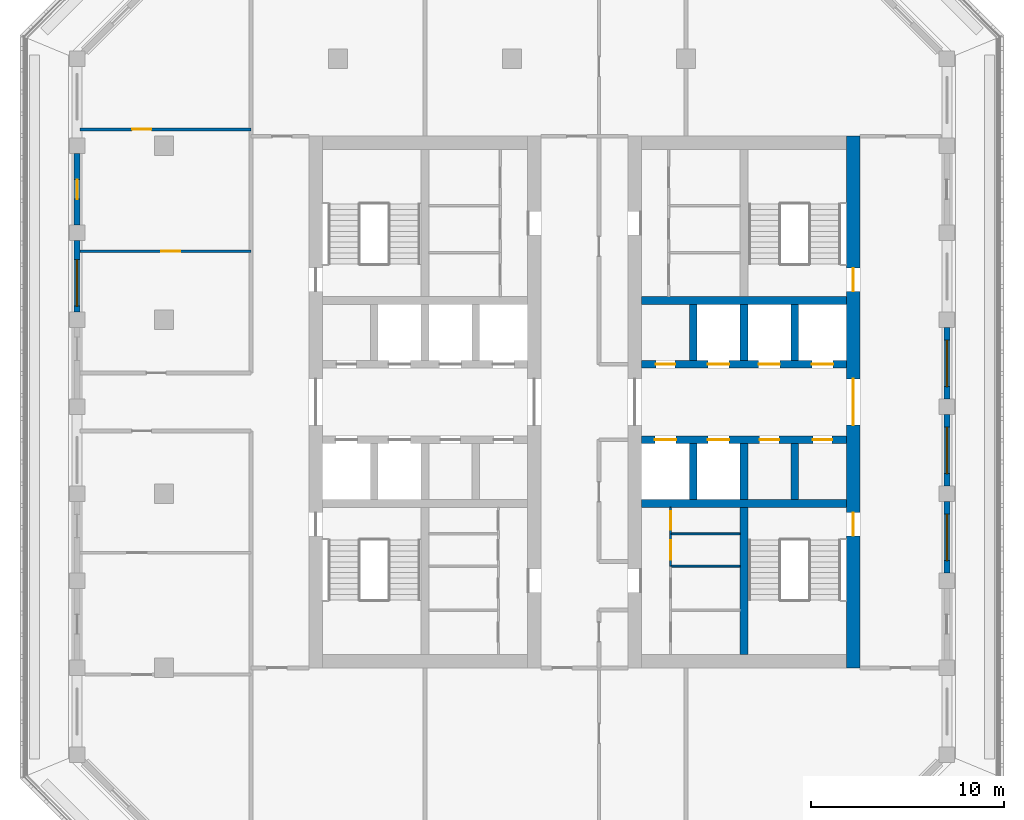
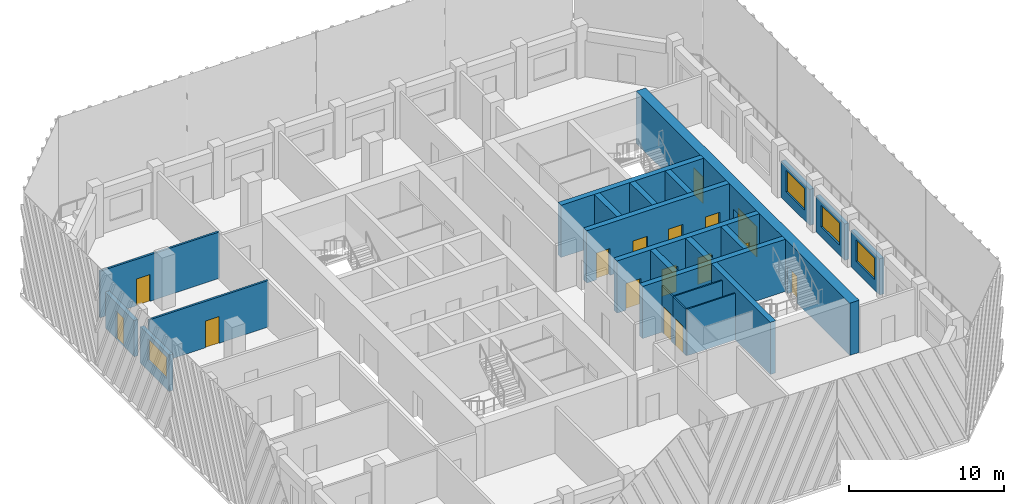
# One storey, part 5 of 15: 23 walls, 16 doors, 4 windows, 20 openings.
"""IFC4 building model written with IfcOpenShell, lengths in metres."""

from ifc_helpers import new_model, si_unit, direction, frame, frame_2d, origin, place, context, subcontext, project, spatial, rectangle, extrude, material, layer, layer_set, type_object, element, fill, save


model = new_model("IFC4")

# Units and contexts
model_context = context("Model", 3, precision=1e-05, world=origin(), true_north=direction((0.0, 1.0)))
body_context = subcontext(model_context, "Body", "Model", "MODEL_VIEW")
ifc_project = project(units=[si_unit("LENGTHUNIT", "METRE"), si_unit("AREAUNIT", "SQUARE_METRE"), si_unit("VOLUMEUNIT", "CUBIC_METRE"), si_unit("PLANEANGLEUNIT", "RADIAN"), si_unit("MASSUNIT", "GRAM", prefix="KILO")], contexts=[model_context])

# Site, building, storey
site_placement = place(None, origin())
site = spatial("IfcSite", under=ifc_project, at=site_placement, CompositionType="ELEMENT")
building_placement = place(site_placement, origin())
building = spatial("IfcBuilding", under=site, at=building_placement, Name="Corbel Stack Research Tower", CompositionType="ELEMENT")
storey_placement = place(building_placement, frame((0.0, 0.0, 282.699951171875)))
storey = spatial("IfcBuildingStorey", under=building, at=storey_placement, Name="L64", CompositionType="ELEMENT", Elevation=282.699951171875)

# Wall
ifc_material_1 = material(Name="Concrete C60/75", Category="concrete")
ifc_layer_1 = layer(ifc_material_1, 0.39990234375)
ifc_layer_set_1 = layer_set([ifc_layer_1], Name="Concrete C60/75")
wall_type_1 = type_object("IfcWallType", Name="CW-400-60", PredefinedType="SHEAR", material=ifc_layer_set_1)
wall_1_placement = place(storey_placement, frame((6.699951171875, -0.5, 0.0), z_axis=(0.0, 0.0, 1.0), x_axis=(1.0, 0.0, 0.0)))
element("IfcWall", 1, at=wall_1_placement, inside=storey, type_object=wall_type_1, Name="East core wall, south row back L64", PredefinedType="SHEAR", context=body_context, shape_type="SweptSolid", body=[
    extrude(rectangle(XDim=10.60009765625, YDim=0.39990234375, at=frame_2d((5.300048828125, 0.0))), origin(), (0.0, 0.0, 1.0), 4.10009765625),
])

# Wall, openings, doors
wall_2_placement = place(storey_placement, frame((6.699951171875, 2.800048828125, 0.0), z_axis=(0.0, 0.0, 1.0), x_axis=(1.0, 0.0, 0.0)))
wall_2 = element("IfcWall", 2, at=wall_2_placement, inside=storey, type_object=wall_type_1, Name="East core wall, lobby south L64", PredefinedType="SHEAR", context=body_context, shape_type="SweptSolid", body=[
    extrude(rectangle(XDim=10.60009765625, YDim=0.39990234375, at=frame_2d((5.300048828125, 0.0))), origin(), (0.0, 0.0, 1.0), 4.10009765625),
])
opening_1_placement = place(wall_2_placement, frame((0.6875, 0.0, 0.0)))
opening_1 = element("IfcOpeningElement", 3, at=opening_1_placement, cuts=wall_2, Name="Opening LD-FS2", PredefinedType="OPENING", context=body_context, shape_type="SweptSolid", body=[
    extrude(rectangle(XDim=1.10009765625, YDim=2.10009765625, at=frame_2d((0.550048828125, 1.050048828125))), frame((0.0, 0.2099609375, 0.0), z_axis=(0.0, -1.0, 0.0), x_axis=(1.0, 0.0, 0.0)), (0.0, 0.0, 1.0), 0.419921875),
])
opening_2_placement = place(wall_2_placement, frame((3.4375, 0.0, 0.0)))
opening_2 = element("IfcOpeningElement", 4, at=opening_2_placement, cuts=wall_2, Name="Opening LD-GL2", PredefinedType="OPENING", context=body_context, shape_type="SweptSolid", body=[
    extrude(rectangle(XDim=1.10009765625, YDim=2.10009765625, at=frame_2d((0.550048828125, 1.050048828125))), frame((0.0, 0.2099609375, 0.0), z_axis=(0.0, -1.0, 0.0), x_axis=(1.0, 0.0, 0.0)), (0.0, 0.0, 1.0), 0.419921875),
])
opening_3_placement = place(wall_2_placement, frame((6.112548828125, 0.0, 0.0)))
opening_3 = element("IfcOpeningElement", 5, at=opening_3_placement, cuts=wall_2, Name="Opening CR-E42-S3", PredefinedType="OPENING", context=body_context, shape_type="SweptSolid", body=[
    extrude(rectangle(XDim=1.0, YDim=2.10009765625, at=frame_2d((0.5, 1.050048828125))), frame((0.0, 0.2099609375, 0.0), z_axis=(0.0, -1.0, 0.0), x_axis=(1.0, 0.0, 0.0)), (0.0, 0.0, 1.0), 0.419921875),
])
opening_4_placement = place(wall_2_placement, frame((8.862548828125, 0.0, 0.0)))
opening_4 = element("IfcOpeningElement", 6, at=opening_4_placement, cuts=wall_2, Name="Opening CR-E42-S4", PredefinedType="OPENING", context=body_context, shape_type="SweptSolid", body=[
    extrude(rectangle(XDim=1.0, YDim=2.10009765625, at=frame_2d((0.5, 1.050048828125))), frame((0.0, 0.2099609375, 0.0), z_axis=(0.0, -1.0, 0.0), x_axis=(1.0, 0.0, 0.0)), (0.0, 0.0, 1.0), 0.419921875),
])
ifc_material_2 = material(Name="Stainless steel landing door", Category="steel")
door_type_1 = type_object("IfcDoorType", Name="Lift landing door 1100 x 2100", OperationType="DOUBLE_DOOR_SLIDING", PredefinedType="DOOR", material=ifc_material_2)
door_1_placement = place(opening_1_placement, origin())
door_1 = element("IfcDoor", 7, at=door_1_placement, inside=storey, type_object=door_type_1, Name="Landing door FS2", OperationType="DOUBLE_DOOR_SLIDING", OverallHeight=2.10009765625, OverallWidth=1.10009765625, PredefinedType="DOOR", context=body_context, shape_type="SweptSolid", body=[
    extrude(rectangle(XDim=1.10009765625, YDim=2.10009765625, at=frame_2d((0.550048828125, 1.050048828125))), frame((0.0, 0.02490234375, 0.0), z_axis=(0.0, -1.0, 0.0), x_axis=(1.0, 0.0, 0.0)), (0.0, 0.0, 1.0), 0.050048828125),
])
fill(opening_1, door_1)
door_2_placement = place(opening_2_placement, origin())
door_2 = element("IfcDoor", 8, at=door_2_placement, inside=storey, type_object=door_type_1, Name="Landing door GL2", OperationType="DOUBLE_DOOR_SLIDING", OverallHeight=2.10009765625, OverallWidth=1.10009765625, PredefinedType="DOOR", context=body_context, shape_type="SweptSolid", body=[
    extrude(rectangle(XDim=1.10009765625, YDim=2.10009765625, at=frame_2d((0.550048828125, 1.050048828125))), frame((0.0, 0.02490234375, 0.0), z_axis=(0.0, -1.0, 0.0), x_axis=(1.0, 0.0, 0.0)), (0.0, 0.0, 1.0), 0.050048828125),
])
fill(opening_2, door_2)
ifc_material_3 = material(Name="Painted steel door", Category="steel")
door_type_2 = type_object("IfcDoorType", Name="Service door 1000 x 2100 FD60 left hand", OperationType="SINGLE_SWING_LEFT", PredefinedType="DOOR", material=ifc_material_3)
door_3_placement = place(opening_3_placement, origin())
door_3 = element("IfcDoor", 9, at=door_3_placement, inside=storey, type_object=door_type_2, Name="Laboratory consumables store door E core", OperationType="SINGLE_SWING_LEFT", OverallHeight=2.10009765625, OverallWidth=1.0, PredefinedType="DOOR", context=body_context, shape_type="SweptSolid", body=[
    extrude(rectangle(XDim=1.0, YDim=2.10009765625, at=frame_2d((0.5, 1.050048828125))), frame((0.0, 0.02490234375, 0.0), z_axis=(0.0, -1.0, 0.0), x_axis=(1.0, 0.0, 0.0)), (0.0, 0.0, 1.0), 0.050048828125),
])
fill(opening_3, door_3)
ifc_material_4 = material(Name="Painted steel door", Category="steel")
door_type_3 = type_object("IfcDoorType", Name="Service door 1000 x 2100 FD60 right hand", OperationType="SINGLE_SWING_RIGHT", PredefinedType="DOOR", material=ifc_material_4)
door_4_placement = place(opening_4_placement, origin())
door_4 = element("IfcDoor", 10, at=door_4_placement, inside=storey, type_object=door_type_3, Name="Cleaner's store door E core", OperationType="SINGLE_SWING_RIGHT", OverallHeight=2.10009765625, OverallWidth=1.0, PredefinedType="DOOR", context=body_context, shape_type="SweptSolid", body=[
    extrude(rectangle(XDim=1.0, YDim=2.10009765625, at=frame_2d((0.5, 1.050048828125))), frame((0.0, 0.02490234375, 0.0), z_axis=(0.0, -1.0, 0.0), x_axis=(1.0, 0.0, 0.0)), (0.0, 0.0, 1.0), 0.050048828125),
])
fill(opening_4, door_4)

wall_3_placement = place(storey_placement, frame((6.699951171875, 6.699951171875, 0.0), z_axis=(0.0, 0.0, 1.0), x_axis=(1.0, 0.0, 0.0)))
wall_3 = element("IfcWall", 11, at=wall_3_placement, inside=storey, type_object=wall_type_1, Name="East core wall, lobby north L64", PredefinedType="SHEAR", context=body_context, shape_type="SweptSolid", body=[
    extrude(rectangle(XDim=10.60009765625, YDim=0.39990234375, at=frame_2d((5.300048828125, 0.0))), origin(), (0.0, 0.0, 1.0), 4.10009765625),
])
opening_5_placement = place(wall_3_placement, frame((3.4375, 0.0, 0.0)))
opening_5 = element("IfcOpeningElement", 12, at=opening_5_placement, cuts=wall_3, Name="Opening LD-HR4", PredefinedType="OPENING", context=body_context, shape_type="SweptSolid", body=[
    extrude(rectangle(XDim=1.10009765625, YDim=2.10009765625, at=frame_2d((0.550048828125, 1.050048828125))), frame((0.0, 0.2099609375, 0.0), z_axis=(0.0, -1.0, 0.0), x_axis=(1.0, 0.0, 0.0)), (0.0, 0.0, 1.0), 0.419921875),
])
opening_6_placement = place(wall_3_placement, frame((6.0625, 0.0, 0.0)))
opening_6 = element("IfcOpeningElement", 13, at=opening_6_placement, cuts=wall_3, Name="Opening LD-HR5", PredefinedType="OPENING", context=body_context, shape_type="SweptSolid", body=[
    extrude(rectangle(XDim=1.10009765625, YDim=2.10009765625, at=frame_2d((0.550048828125, 1.050048828125))), frame((0.0, 0.2099609375, 0.0), z_axis=(0.0, -1.0, 0.0), x_axis=(1.0, 0.0, 0.0)), (0.0, 0.0, 1.0), 0.419921875),
])
opening_7_placement = place(wall_3_placement, frame((8.8125, 0.0, 0.0)))
opening_7 = element("IfcOpeningElement", 14, at=opening_7_placement, cuts=wall_3, Name="Opening LD-HR6", PredefinedType="OPENING", context=body_context, shape_type="SweptSolid", body=[
    extrude(rectangle(XDim=1.10009765625, YDim=2.10009765625, at=frame_2d((0.550048828125, 1.050048828125))), frame((0.0, 0.2099609375, 0.0), z_axis=(0.0, -1.0, 0.0), x_axis=(1.0, 0.0, 0.0)), (0.0, 0.0, 1.0), 0.419921875),
])
opening_8_placement = place(wall_3_placement, frame((0.737548828125, 0.0, 0.0)))
opening_8 = element("IfcOpeningElement", 15, at=opening_8_placement, cuts=wall_3, Name="Opening CR-E42-N1", PredefinedType="OPENING", context=body_context, shape_type="SweptSolid", body=[
    extrude(rectangle(XDim=1.0, YDim=2.10009765625, at=frame_2d((0.5, 1.050048828125))), frame((0.0, 0.2099609375, 0.0), z_axis=(0.0, -1.0, 0.0), x_axis=(1.0, 0.0, 0.0)), (0.0, 0.0, 1.0), 0.419921875),
])
door_5_placement = place(opening_5_placement, origin())
door_5 = element("IfcDoor", 16, at=door_5_placement, inside=storey, type_object=door_type_1, Name="Landing door HR4", OperationType="DOUBLE_DOOR_SLIDING", OverallHeight=2.10009765625, OverallWidth=1.10009765625, PredefinedType="DOOR", context=body_context, shape_type="SweptSolid", body=[
    extrude(rectangle(XDim=1.10009765625, YDim=2.10009765625, at=frame_2d((0.550048828125, 1.050048828125))), frame((0.0, 0.02490234375, 0.0), z_axis=(0.0, -1.0, 0.0), x_axis=(1.0, 0.0, 0.0)), (0.0, 0.0, 1.0), 0.050048828125),
])
fill(opening_5, door_5)
door_6_placement = place(opening_6_placement, origin())
door_6 = element("IfcDoor", 17, at=door_6_placement, inside=storey, type_object=door_type_1, Name="Landing door HR5", OperationType="DOUBLE_DOOR_SLIDING", OverallHeight=2.10009765625, OverallWidth=1.10009765625, PredefinedType="DOOR", context=body_context, shape_type="SweptSolid", body=[
    extrude(rectangle(XDim=1.10009765625, YDim=2.10009765625, at=frame_2d((0.550048828125, 1.050048828125))), frame((0.0, 0.02490234375, 0.0), z_axis=(0.0, -1.0, 0.0), x_axis=(1.0, 0.0, 0.0)), (0.0, 0.0, 1.0), 0.050048828125),
])
fill(opening_6, door_6)
door_7_placement = place(opening_7_placement, origin())
door_7 = element("IfcDoor", 18, at=door_7_placement, inside=storey, type_object=door_type_1, Name="Landing door HR6", OperationType="DOUBLE_DOOR_SLIDING", OverallHeight=2.10009765625, OverallWidth=1.10009765625, PredefinedType="DOOR", context=body_context, shape_type="SweptSolid", body=[
    extrude(rectangle(XDim=1.10009765625, YDim=2.10009765625, at=frame_2d((0.550048828125, 1.050048828125))), frame((0.0, 0.02490234375, 0.0), z_axis=(0.0, -1.0, 0.0), x_axis=(1.0, 0.0, 0.0)), (0.0, 0.0, 1.0), 0.050048828125),
])
fill(opening_7, door_7)
door_8_placement = place(opening_8_placement, origin())
door_8 = element("IfcDoor", 19, at=door_8_placement, inside=storey, type_object=door_type_2, Name="Vending bay door E core", OperationType="SINGLE_SWING_LEFT", OverallHeight=2.10009765625, OverallWidth=1.0, PredefinedType="DOOR", context=body_context, shape_type="SweptSolid", body=[
    extrude(rectangle(XDim=1.0, YDim=2.10009765625, at=frame_2d((0.5, 1.050048828125))), frame((0.0, 0.02490234375, 0.0), z_axis=(0.0, -1.0, 0.0), x_axis=(1.0, 0.0, 0.0)), (0.0, 0.0, 1.0), 0.050048828125),
])
fill(opening_8, door_8)

# Walls
wall_4_placement = place(storey_placement, frame((6.699951171875, 10.0, 0.0), z_axis=(0.0, 0.0, 1.0), x_axis=(1.0, 0.0, 0.0)))
element("IfcWall", 20, at=wall_4_placement, inside=storey, type_object=wall_type_1, Name="East core wall, north row back L64", PredefinedType="SHEAR", context=body_context, shape_type="SweptSolid", body=[
    extrude(rectangle(XDim=10.60009765625, YDim=0.39990234375, at=frame_2d((5.300048828125, 0.0))), origin(), (0.0, 0.0, 1.0), 4.10009765625),
])
for number, where, z_axis, x_axis, name in (
    (21, (9.375, -0.300048828125, 0.0), (0.0, 0.0, 1.0), (0.0, 1.0, 0.0), "East core wall, south shaft 1 L64"),
    (22, (9.375, 6.89990234375, 0.0), (0.0, 0.0, 1.0), (0.0, 1.0, 0.0), "East core wall, north shaft 1 L64"),
    (23, (12.0, -0.300048828125, 0.0), (0.0, 0.0, 1.0), (0.0, 1.0, 0.0), "East core wall, south shaft 2 L64"),
    (24, (12.0, 6.89990234375, 0.0), (0.0, 0.0, 1.0), (0.0, 1.0, 0.0), "East core wall, north shaft 2 L64"),
    (25, (14.625, -0.300048828125, 0.0), (0.0, 0.0, 1.0), (0.0, 1.0, 0.0), "East core wall, south shaft 3 L64"),
    (26, (14.625, 6.89990234375, 0.0), (0.0, 0.0, 1.0), (0.0, 1.0, 0.0), "East core wall, north shaft 3 L64"),
):
    element("IfcWall", number, at=place(storey_placement, frame(where, z_axis=z_axis, x_axis=x_axis)), inside=storey, type_object=wall_type_1, Name=name, PredefinedType="SHEAR", context=body_context, shape_type="SweptSolid", body=[
        extrude(rectangle(XDim=2.900146484375, YDim=0.39990234375, at=frame_2d((1.4501953125, 0.0))), origin(), (0.0, 0.0, 1.0), 4.10009765625),
    ])
wall_5_placement = place(storey_placement, frame((12.0, -8.300048828125, 0.0), z_axis=(0.0, 0.0, 1.0), x_axis=(0.0, 1.0, 0.0)))
element("IfcWall", 27, at=wall_5_placement, inside=storey, type_object=wall_type_1, Name="East core wall, south stair and WC L64", PredefinedType="SHEAR", context=body_context, shape_type="SweptSolid", body=[
    extrude(rectangle(XDim=7.60009765625, YDim=0.39990234375, at=frame_2d((3.800048828125, 0.0))), origin(), (0.0, 0.0, 1.0), 4.10009765625),
])

# Wall, openings, doors
ifc_material_5 = material(Name="Concrete C60/75", Category="concrete")
ifc_layer_2 = layer(ifc_material_5, 0.699951171875)
ifc_layer_set_2 = layer_set([ifc_layer_2], Name="Concrete C60/75")
wall_type_2 = type_object("IfcWallType", Name="CW-700-60", PredefinedType="SHEAR", material=ifc_layer_set_2)
wall_6_placement = place(storey_placement, frame((17.64990234375, -9.0, 0.0), z_axis=(0.0, 0.0, 1.0), x_axis=(0.0, 1.0, 0.0)))
wall_6 = element("IfcWall", 28, at=wall_6_placement, inside=storey, type_object=wall_type_2, Name="East core wall, east face L64", PredefinedType="SHEAR", context=body_context, shape_type="SweptSolid", body=[
    extrude(rectangle(XDim=27.5, YDim=0.699951171875, at=frame_2d((13.75, 0.0))), origin(), (0.0, 0.0, 1.0), 4.10009765625),
])
opening_9_placement = place(wall_6_placement, frame((12.550048828125, 0.0, 0.0)))
opening_9 = element("IfcOpeningElement", 29, at=opening_9_placement, cuts=wall_6, Name="Opening CD-E-E", PredefinedType="OPENING", context=body_context, shape_type="SweptSolid", body=[
    extrude(rectangle(XDim=2.39990234375, YDim=2.39990234375, at=frame_2d((1.199951171875, 1.199951171875))), frame((0.0, 0.35986328125, 0.0), z_axis=(0.0, -1.0, 0.0), x_axis=(1.0, 0.0, 0.0)), (0.0, 0.0, 1.0), 0.719970703125),
])
opening_10_placement = place(wall_6_placement, frame((6.824951171875, 0.0, 0.0)))
opening_10 = element("IfcOpeningElement", 30, at=opening_10_placement, cuts=wall_6, Name="Opening SD-ST-E1", PredefinedType="OPENING", context=body_context, shape_type="SweptSolid", body=[
    extrude(rectangle(XDim=1.199951171875, YDim=2.10009765625, at=frame_2d((0.60009765625, 1.050048828125))), frame((0.0, 0.35986328125, 0.0), z_axis=(0.0, -1.0, 0.0), x_axis=(1.0, 0.0, 0.0)), (0.0, 0.0, 1.0), 0.719970703125),
])
opening_11_placement = place(wall_6_placement, frame((19.47509765625, 0.0, 0.0)))
opening_11 = element("IfcOpeningElement", 31, at=opening_11_placement, cuts=wall_6, Name="Opening SD-ST-E2", PredefinedType="OPENING", context=body_context, shape_type="SweptSolid", body=[
    extrude(rectangle(XDim=1.199951171875, YDim=2.10009765625, at=frame_2d((0.60009765625, 1.050048828125))), frame((0.0, 0.35986328125, 0.0), z_axis=(0.0, -1.0, 0.0), x_axis=(1.0, 0.0, 0.0)), (0.0, 0.0, 1.0), 0.719970703125),
])
ifc_material_6 = material(Name="Painted steel fire door", Category="steel")
door_type_4 = type_object("IfcDoorType", Name="Lobby door pair 2400 x 2400 FD30S", OperationType="DOUBLE_DOOR_DOUBLE_SWING", PredefinedType="DOOR", material=ifc_material_6)
door_9_placement = place(opening_9_placement, origin())
door_9 = element("IfcDoor", 32, at=door_9_placement, inside=storey, type_object=door_type_4, Name="Lift lobby door E core E", OperationType="DOUBLE_DOOR_DOUBLE_SWING", OverallHeight=2.39990234375, OverallWidth=2.39990234375, PredefinedType="DOOR", context=body_context, shape_type="SweptSolid", body=[
    extrude(rectangle(XDim=2.39990234375, YDim=2.39990234375, at=frame_2d((1.199951171875, 1.199951171875))), frame((0.0, 0.02490234375, 0.0), z_axis=(0.0, -1.0, 0.0), x_axis=(1.0, 0.0, 0.0)), (0.0, 0.0, 1.0), 0.050048828125),
])
fill(opening_9, door_9)
ifc_material_7 = material(Name="Painted steel fire door", Category="steel")
door_type_5 = type_object("IfcDoorType", Name="Stair door 1200 x 2100 FD90 right hand", OperationType="SINGLE_SWING_RIGHT", PredefinedType="DOOR", material=ifc_material_7)
door_10_placement = place(opening_10_placement, frame((1.199951171875, 0.0, 0.0), z_axis=(0.0, 0.0, 1.0), x_axis=(-1.0, 0.0, 0.0)))
door_10 = element("IfcDoor", 33, at=door_10_placement, inside=storey, type_object=door_type_5, Name="Stair door ST-E1", OperationType="SINGLE_SWING_LEFT", OverallHeight=2.10009765625, OverallWidth=1.199951171875, PredefinedType="DOOR", context=body_context, shape_type="SweptSolid", body=[
    extrude(rectangle(XDim=1.199951171875, YDim=2.10009765625, at=frame_2d((0.60009765625, 1.050048828125))), frame((0.0, 0.02490234375, 0.0), z_axis=(0.0, -1.0, 0.0), x_axis=(1.0, 0.0, 0.0)), (0.0, 0.0, 1.0), 0.050048828125),
])
fill(opening_10, door_10)
door_11_placement = place(opening_11_placement, frame((1.199951171875, 0.0, 0.0), z_axis=(0.0, 0.0, 1.0), x_axis=(-1.0, 0.0, 0.0)))
door_11 = element("IfcDoor", 34, at=door_11_placement, inside=storey, type_object=door_type_5, Name="Stair door ST-E2", OperationType="SINGLE_SWING_LEFT", OverallHeight=2.10009765625, OverallWidth=1.199951171875, PredefinedType="DOOR", context=body_context, shape_type="SweptSolid", body=[
    extrude(rectangle(XDim=1.199951171875, YDim=2.10009765625, at=frame_2d((0.60009765625, 1.050048828125))), frame((0.0, 0.02490234375, 0.0), z_axis=(0.0, -1.0, 0.0), x_axis=(1.0, 0.0, 0.0)), (0.0, 0.0, 1.0), 0.050048828125),
])
fill(opening_11, door_11)

# Wall, opening, door
ifc_material_8 = material(Name="Gypsum board")
ifc_layer_3 = layer(ifc_material_8, 0.10009765625)
ifc_layer_set_3 = layer_set([ifc_layer_3], Name="Gypsum board")
wall_type_3 = type_object("IfcWallType", Name="Core partition 100", PredefinedType="PARTITIONING", material=ifc_layer_set_3)
wall_7_placement = place(storey_placement, frame((8.199951171875, -3.739990234375, 0.0), z_axis=(0.0, 0.0, 1.0), x_axis=(0.0, 1.0, 0.0)))
wall_7 = element("IfcWall", 35, at=wall_7_placement, inside=storey, type_object=wall_type_3, Name="Core partition E", PredefinedType="PARTITIONING", context=body_context, shape_type="SweptSolid", body=[
    extrude(rectangle(XDim=1.671875, YDim=0.10009765625, at=frame_2d((0.8359375, 0.0))), origin(), (0.0, 0.0, 1.0), 3.650146484375),
])
opening_12_placement = place(wall_7_placement, frame((0.3359375, 0.0, 0.0)))
opening_12 = element("IfcOpeningElement", 36, at=opening_12_placement, cuts=wall_7, Name="Opening CR-E42-W4-1000", PredefinedType="OPENING", context=body_context, shape_type="SweptSolid", body=[
    extrude(rectangle(XDim=1.0, YDim=2.10009765625, at=frame_2d((0.5, 1.050048828125))), frame((0.0, 0.06005859375, 0.0), z_axis=(0.0, -1.0, 0.0), x_axis=(1.0, 0.0, 0.0)), (0.0, 0.0, 1.0), 0.1201171875),
])
ifc_material_9 = material(Name="Painted timber door", Category="wood")
door_type_6 = type_object("IfcDoorType", Name="WC door 1000 x 2100 left hand", OperationType="SINGLE_SWING_LEFT", PredefinedType="DOOR", material=ifc_material_9)
door_12_placement = place(opening_12_placement, origin())
door_12 = element("IfcDoor", 37, at=door_12_placement, inside=storey, type_object=door_type_6, Name="Accessible WC door E core", OperationType="SINGLE_SWING_LEFT", OverallHeight=2.10009765625, OverallWidth=1.0, PredefinedType="DOOR", context=body_context, shape_type="SweptSolid", body=[
    extrude(rectangle(XDim=1.0, YDim=2.10009765625, at=frame_2d((0.5, 1.050048828125))), frame((0.0, 0.02490234375, 0.0), z_axis=(0.0, -1.0, 0.0), x_axis=(1.0, 0.0, 0.0)), (0.0, 0.0, 1.0), 0.050048828125),
])
fill(opening_12, door_12)

wall_8_placement = place(storey_placement, frame((8.199951171875, -2.068115234375, 0.0), z_axis=(0.0, 0.0, 1.0), x_axis=(0.0, 1.0, 0.0)))
wall_8 = element("IfcWall", 38, at=wall_8_placement, inside=storey, type_object=wall_type_3, Name="Core partition E", PredefinedType="PARTITIONING", context=body_context, shape_type="SweptSolid", body=[
    extrude(rectangle(XDim=1.3681640625, YDim=0.10009765625, at=frame_2d((0.68408203125, 0.0))), origin(), (0.0, 0.0, 1.0), 3.650146484375),
])
opening_13_placement = place(wall_8_placement, frame((0.199951171875, 0.0, 0.0)))
opening_13 = element("IfcOpeningElement", 39, at=opening_13_placement, cuts=wall_8, Name="Opening CR-E42-W5-968", PredefinedType="OPENING", context=body_context, shape_type="SweptSolid", body=[
    extrude(rectangle(XDim=0.968017578125, YDim=2.10009765625, at=frame_2d((0.48388671875, 1.050048828125))), frame((0.0, 0.06005859375, 0.0), z_axis=(0.0, -1.0, 0.0), x_axis=(1.0, 0.0, 0.0)), (0.0, 0.0, 1.0), 0.1201171875),
])
ifc_material_10 = material(Name="Painted steel door", Category="steel")
door_type_7 = type_object("IfcDoorType", Name="Service door 968 x 2100 FD30 right hand", OperationType="SINGLE_SWING_RIGHT", PredefinedType="DOOR", material=ifc_material_10)
door_13_placement = place(opening_13_placement, origin())
door_13 = element("IfcDoor", 40, at=door_13_placement, inside=storey, type_object=door_type_7, Name="Cleaner's store door E core", OperationType="SINGLE_SWING_RIGHT", OverallHeight=2.10009765625, OverallWidth=0.968017578125, PredefinedType="DOOR", context=body_context, shape_type="SweptSolid", body=[
    extrude(rectangle(XDim=0.968017578125, YDim=2.10009765625, at=frame_2d((0.48388671875, 1.050048828125))), frame((0.0, 0.02490234375, 0.0), z_axis=(0.0, -1.0, 0.0), x_axis=(1.0, 0.0, 0.0)), (0.0, 0.0, 1.0), 0.050048828125),
])
fill(opening_13, door_13)

# Walls
for number, where, z_axis, x_axis, name in (
    (41, (8.199951171875, -3.739990234375, 0.0), (0.0, 0.0, 1.0), (1.0, 0.0, 0.0), "Core partition E"),
    (42, (8.199951171875, -2.068115234375, 0.0), (0.0, 0.0, 1.0), (1.0, 0.0, 0.0), "Core partition E"),
):
    element("IfcWall", number, at=place(storey_placement, frame(where, z_axis=z_axis, x_axis=x_axis)), inside=storey, type_object=wall_type_3, Name=name, PredefinedType="PARTITIONING", context=body_context, shape_type="SweptSolid", body=[
        extrude(rectangle(XDim=3.60009765625, YDim=0.10009765625, at=frame_2d((1.800048828125, 0.0))), origin(), (0.0, 0.0, 1.0), 3.650146484375),
    ])

# Wall, opening, door
ifc_material_11 = material(Name="Gypsum board partition on steel studs", Category="steel")
ifc_layer_4 = layer(ifc_material_11, 0.14990234375)
ifc_layer_set_4 = layer_set([ifc_layer_4], Name="Gypsum board partition on steel studs")
wall_type_4 = type_object("IfcWallType", Name="Partition 150", PredefinedType="PARTITIONING", material=ifc_layer_set_4)
wall_9_placement = place(storey_placement, frame((-22.35009765625, 12.550048828125, 0.0), z_axis=(0.0, 0.0, 1.0), x_axis=(1.0, 0.0, 0.0)))
wall_9 = element("IfcWall", 43, at=wall_9_placement, inside=storey, type_object=wall_type_4, Name="Partition L64-025", PredefinedType="PARTITIONING", context=body_context, shape_type="SweptSolid", body=[
    extrude(rectangle(XDim=8.85009765625, YDim=0.14990234375, at=frame_2d((4.425048828125, 0.0))), origin(), (0.0, 0.0, 1.0), 3.650146484375),
])
opening_14_placement = place(wall_9_placement, frame((4.199951171875, 0.0, 0.0)))
opening_14 = element("IfcOpeningElement", 44, at=opening_14_placement, cuts=wall_9, Name="Opening B8V2-013", PredefinedType="OPENING", context=body_context, shape_type="SweptSolid", body=[
    extrude(rectangle(XDim=1.0, YDim=2.10009765625, at=frame_2d((0.5, 1.050048828125))), frame((0.0, 0.0849609375, 0.0), z_axis=(0.0, -1.0, 0.0), x_axis=(1.0, 0.0, 0.0)), (0.0, 0.0, 1.0), 0.169921875),
])
ifc_material_12 = material(Name="Painted timber door", Category="wood")
door_type_8 = type_object("IfcDoorType", Name="Single door 1000 x 2100", OperationType="NOTDEFINED", PredefinedType="DOOR", material=ifc_material_12)
door_14_placement = place(opening_14_placement, origin())
door_14 = element("IfcDoor", 45, at=door_14_placement, inside=storey, type_object=door_type_8, Name="Door B8V2-013", OperationType="SINGLE_SWING_RIGHT", OverallHeight=2.10009765625, OverallWidth=1.0, PredefinedType="DOOR", context=body_context, shape_type="SweptSolid", body=[
    extrude(rectangle(XDim=1.0, YDim=2.10009765625, at=frame_2d((0.5, 1.050048828125))), frame((0.0, 0.02490234375, 0.0), z_axis=(0.0, -1.0, 0.0), x_axis=(1.0, 0.0, 0.0)), (0.0, 0.0, 1.0), 0.050048828125),
])
fill(opening_14, door_14)

wall_10_placement = place(storey_placement, frame((-22.35009765625, 18.85009765625, 0.0), z_axis=(0.0, 0.0, 1.0), x_axis=(1.0, 0.0, 0.0)))
wall_10 = element("IfcWall", 46, at=wall_10_placement, inside=storey, type_object=wall_type_4, Name="Partition L64-029", PredefinedType="PARTITIONING", context=body_context, shape_type="SweptSolid", body=[
    extrude(rectangle(XDim=8.85009765625, YDim=0.14990234375, at=frame_2d((4.425048828125, 0.0))), origin(), (0.0, 0.0, 1.0), 3.650146484375),
])
opening_15_placement = place(wall_10_placement, frame((2.699951171875, 0.0, 0.0)))
opening_15 = element("IfcOpeningElement", 47, at=opening_15_placement, cuts=wall_10, Name="Opening B8V2-017", PredefinedType="OPENING", context=body_context, shape_type="SweptSolid", body=[
    extrude(rectangle(XDim=1.0, YDim=2.10009765625, at=frame_2d((0.5, 1.050048828125))), frame((0.0, 0.0849609375, 0.0), z_axis=(0.0, -1.0, 0.0), x_axis=(1.0, 0.0, 0.0)), (0.0, 0.0, 1.0), 0.169921875),
])
door_15_placement = place(opening_15_placement, origin())
door_15 = element("IfcDoor", 48, at=door_15_placement, inside=storey, type_object=door_type_8, Name="Door B8V2-017", OperationType="SINGLE_SWING_LEFT", OverallHeight=2.10009765625, OverallWidth=1.0, PredefinedType="DOOR", context=body_context, shape_type="SweptSolid", body=[
    extrude(rectangle(XDim=1.0, YDim=2.10009765625, at=frame_2d((0.5, 1.050048828125))), frame((0.0, 0.02490234375, 0.0), z_axis=(0.0, -1.0, 0.0), x_axis=(1.0, 0.0, 0.0)), (0.0, 0.0, 1.0), 0.050048828125),
])
fill(opening_15, door_15)

# Wall, opening, window
ifc_material_13 = material(Name="Concrete C45/55", Category="concrete")
ifc_layer_5 = layer(ifc_material_13, 0.300048828125)
ifc_layer_set_5 = layer_set([ifc_layer_5], Name="Concrete C45/55")
wall_type_5 = type_object("IfcWallType", Name="Terracotta-faced concrete wall 300", PredefinedType="SOLIDWALL", material=ifc_layer_set_5)
wall_11_placement = place(storey_placement, frame((22.5, -0.39990234375, 0.0), z_axis=(0.0, 0.0, 1.0), x_axis=(0.0, -1.0, 0.0)))
wall_11 = element("IfcWall", 49, at=wall_11_placement, inside=storey, type_object=wall_type_5, Name="Facade wall L64 E03", PredefinedType="SOLIDWALL", context=body_context, shape_type="SweptSolid", body=[
    extrude(rectangle(XDim=3.7001953125, YDim=0.300048828125, at=frame_2d((1.85009765625, 0.0))), origin(), (0.0, 0.0, 1.0), 2.85009765625),
])
opening_16_placement = place(wall_11_placement, frame((0.64990234375, 0.0, 0.800048828125)))
opening_16 = element("IfcOpeningElement", 50, at=opening_16_placement, cuts=wall_11, Name="Opening W1", PredefinedType="OPENING", context=body_context, shape_type="SweptSolid", body=[
    extrude(rectangle(XDim=2.39990234375, YDim=1.699951171875, at=frame_2d((1.199951171875, 0.85009765625))), frame((0.0, 0.159912109375, 0.0), z_axis=(0.0, -1.0, 0.0), x_axis=(1.0, 0.0, 0.0)), (0.0, 0.0, 1.0), 0.320068359375),
])
ifc_material_14 = material(Name="Aluminium frame, clear double glazing", Category="aluminium")
window_type = type_object("IfcWindowType", Name="Window W1 2400 x 1700", PartitioningType="SINGLE_PANEL", PredefinedType="WINDOW", material=ifc_material_14)
window_1_placement = place(opening_16_placement, origin())
window_1 = element("IfcWindow", 51, at=window_1_placement, inside=storey, type_object=window_type, Name="Window W1 L64 E03", OverallHeight=1.699951171875, OverallWidth=2.39990234375, PartitioningType="SINGLE_PANEL", PredefinedType="WINDOW", context=body_context, shape_type="SweptSolid", body=[
    extrude(rectangle(XDim=2.39990234375, YDim=1.699951171875, at=frame_2d((1.199951171875, 0.85009765625))), frame((0.0, 0.030029296875, 0.0), z_axis=(0.0, -1.0, 0.0), x_axis=(1.0, 0.0, 0.0)), (0.0, 0.0, 1.0), 0.06005859375),
])
fill(opening_16, window_1)

wall_12_placement = place(storey_placement, frame((22.5, 4.10009765625, 0.0), z_axis=(0.0, 0.0, 1.0), x_axis=(0.0, -1.0, 0.0)))
wall_12 = element("IfcWall", 52, at=wall_12_placement, inside=storey, type_object=wall_type_5, Name="Facade wall L64 E04", PredefinedType="SOLIDWALL", context=body_context, shape_type="SweptSolid", body=[
    extrude(rectangle(XDim=3.7001953125, YDim=0.300048828125, at=frame_2d((1.85009765625, 0.0))), origin(), (0.0, 0.0, 1.0), 2.85009765625),
])
opening_17_placement = place(wall_12_placement, frame((0.64990234375, 0.0, 0.800048828125)))
opening_17 = element("IfcOpeningElement", 53, at=opening_17_placement, cuts=wall_12, Name="Opening W1", PredefinedType="OPENING", context=body_context, shape_type="SweptSolid", body=[
    extrude(rectangle(XDim=2.39990234375, YDim=1.699951171875, at=frame_2d((1.199951171875, 0.85009765625))), frame((0.0, 0.159912109375, 0.0), z_axis=(0.0, -1.0, 0.0), x_axis=(1.0, 0.0, 0.0)), (0.0, 0.0, 1.0), 0.320068359375),
])
window_2_placement = place(opening_17_placement, origin())
window_2 = element("IfcWindow", 54, at=window_2_placement, inside=storey, type_object=window_type, Name="Window W1 L64 E04", OverallHeight=1.699951171875, OverallWidth=2.39990234375, PartitioningType="SINGLE_PANEL", PredefinedType="WINDOW", context=body_context, shape_type="SweptSolid", body=[
    extrude(rectangle(XDim=2.39990234375, YDim=1.699951171875, at=frame_2d((1.199951171875, 0.85009765625))), frame((0.0, 0.030029296875, 0.0), z_axis=(0.0, -1.0, 0.0), x_axis=(1.0, 0.0, 0.0)), (0.0, 0.0, 1.0), 0.06005859375),
])
fill(opening_17, window_2)

wall_13_placement = place(storey_placement, frame((22.5, 8.60009765625, 0.0), z_axis=(0.0, 0.0, 1.0), x_axis=(0.0, -1.0, 0.0)))
wall_13 = element("IfcWall", 55, at=wall_13_placement, inside=storey, type_object=wall_type_5, Name="Facade wall L64 E05", PredefinedType="SOLIDWALL", context=body_context, shape_type="SweptSolid", body=[
    extrude(rectangle(XDim=3.7001953125, YDim=0.300048828125, at=frame_2d((1.85009765625, 0.0))), origin(), (0.0, 0.0, 1.0), 2.85009765625),
])
opening_18_placement = place(wall_13_placement, frame((0.64990234375, 0.0, 0.800048828125)))
opening_18 = element("IfcOpeningElement", 56, at=opening_18_placement, cuts=wall_13, Name="Opening W1", PredefinedType="OPENING", context=body_context, shape_type="SweptSolid", body=[
    extrude(rectangle(XDim=2.39990234375, YDim=1.699951171875, at=frame_2d((1.199951171875, 0.85009765625))), frame((0.0, 0.159912109375, 0.0), z_axis=(0.0, -1.0, 0.0), x_axis=(1.0, 0.0, 0.0)), (0.0, 0.0, 1.0), 0.320068359375),
])
window_3_placement = place(opening_18_placement, origin())
window_3 = element("IfcWindow", 57, at=window_3_placement, inside=storey, type_object=window_type, Name="Window W1 L64 E05", OverallHeight=1.699951171875, OverallWidth=2.39990234375, PartitioningType="SINGLE_PANEL", PredefinedType="WINDOW", context=body_context, shape_type="SweptSolid", body=[
    extrude(rectangle(XDim=2.39990234375, YDim=1.699951171875, at=frame_2d((1.199951171875, 0.85009765625))), frame((0.0, 0.030029296875, 0.0), z_axis=(0.0, -1.0, 0.0), x_axis=(1.0, 0.0, 0.0)), (0.0, 0.0, 1.0), 0.06005859375),
])
fill(opening_18, window_3)

# Wall, opening, door
wall_14_placement = place(storey_placement, frame((-22.5, 13.89990234375, 0.0), z_axis=(0.0, 0.0, 1.0), x_axis=(0.0, 1.0, 0.0)))
wall_14 = element("IfcWall", 58, at=wall_14_placement, inside=storey, type_object=wall_type_5, Name="Facade wall L64 W02", PredefinedType="SOLIDWALL", context=body_context, shape_type="SweptSolid", body=[
    extrude(rectangle(XDim=3.7001953125, YDim=0.300048828125, at=frame_2d((1.85009765625, 0.0))), origin(), (0.0, 0.0, 1.0), 2.85009765625),
])
opening_19_placement = place(wall_14_placement, frame((1.35009765625, 0.0, 0.0)))
opening_19 = element("IfcOpeningElement", 59, at=opening_19_placement, cuts=wall_14, Name="Opening L64-B10", PredefinedType="OPENING", context=body_context, shape_type="SweptSolid", body=[
    extrude(rectangle(XDim=1.0, YDim=2.199951171875, at=frame_2d((0.5, 1.10009765625))), frame((0.0, 0.159912109375, 0.0), z_axis=(0.0, -1.0, 0.0), x_axis=(1.0, 0.0, 0.0)), (0.0, 0.0, 1.0), 0.320068359375),
])
ifc_material_15 = material(Name="Aluminium frame, clear double glazing", Category="aluminium")
door_type_9 = type_object("IfcDoorType", Name="Balcony door BD1 1000 x 2200", OperationType="NOTDEFINED", PredefinedType="DOOR", material=ifc_material_15)
door_16_placement = place(opening_19_placement, origin())
door_16 = element("IfcDoor", 60, at=door_16_placement, inside=storey, type_object=door_type_9, Name="Balcony door L64-B10", OperationType="SINGLE_SWING_RIGHT", OverallHeight=2.199951171875, OverallWidth=1.0, PredefinedType="DOOR", context=body_context, shape_type="SweptSolid", body=[
    extrude(rectangle(XDim=1.0, YDim=2.199951171875, at=frame_2d((0.5, 1.10009765625))), frame((0.0, 0.02490234375, 0.0), z_axis=(0.0, -1.0, 0.0), x_axis=(1.0, 0.0, 0.0)), (0.0, 0.0, 1.0), 0.050048828125),
])
fill(opening_19, door_16)

# Wall, opening, window
wall_15_placement = place(storey_placement, frame((-22.5, 9.39990234375, 0.0), z_axis=(0.0, 0.0, 1.0), x_axis=(0.0, 1.0, 0.0)))
wall_15 = element("IfcWall", 61, at=wall_15_placement, inside=storey, type_object=wall_type_5, Name="Facade wall L64 W03", PredefinedType="SOLIDWALL", context=body_context, shape_type="SweptSolid", body=[
    extrude(rectangle(XDim=3.7001953125, YDim=0.300048828125, at=frame_2d((1.85009765625, 0.0))), origin(), (0.0, 0.0, 1.0), 2.85009765625),
])
opening_20_placement = place(wall_15_placement, frame((0.3125, 0.0, 0.800048828125)))
opening_20 = element("IfcOpeningElement", 62, at=opening_20_placement, cuts=wall_15, Name="Opening W1", PredefinedType="OPENING", context=body_context, shape_type="SweptSolid", body=[
    extrude(rectangle(XDim=2.39990234375, YDim=1.699951171875, at=frame_2d((1.199951171875, 0.85009765625))), frame((0.0, 0.159912109375, 0.0), z_axis=(0.0, -1.0, 0.0), x_axis=(1.0, 0.0, 0.0)), (0.0, 0.0, 1.0), 0.320068359375),
])
window_4_placement = place(opening_20_placement, origin())
window_4 = element("IfcWindow", 63, at=window_4_placement, inside=storey, type_object=window_type, Name="Window W1 L64 W03", OverallHeight=1.699951171875, OverallWidth=2.39990234375, PartitioningType="SINGLE_PANEL", PredefinedType="WINDOW", context=body_context, shape_type="SweptSolid", body=[
    extrude(rectangle(XDim=2.39990234375, YDim=1.699951171875, at=frame_2d((1.199951171875, 0.85009765625))), frame((0.0, 0.030029296875, 0.0), z_axis=(0.0, -1.0, 0.0), x_axis=(1.0, 0.0, 0.0)), (0.0, 0.0, 1.0), 0.06005859375),
])
fill(opening_20, window_4)

save(model, "model.ifc")
